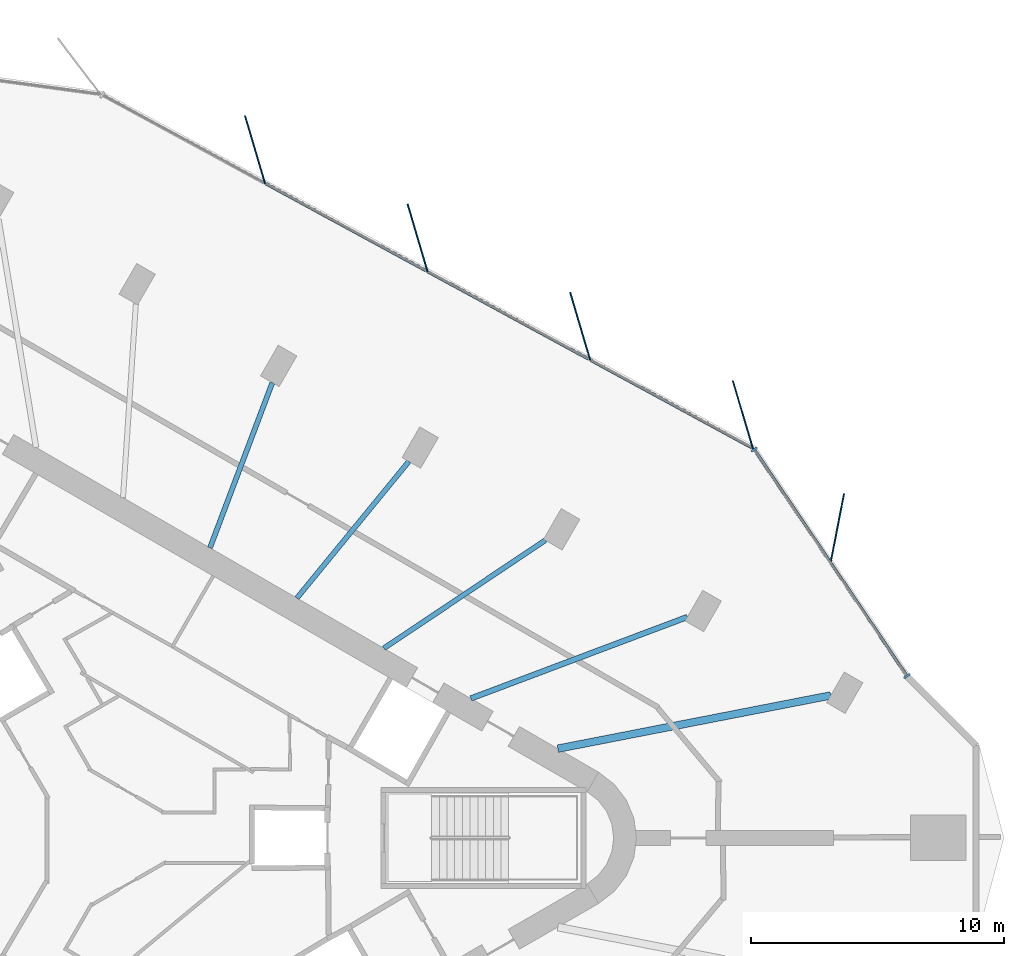
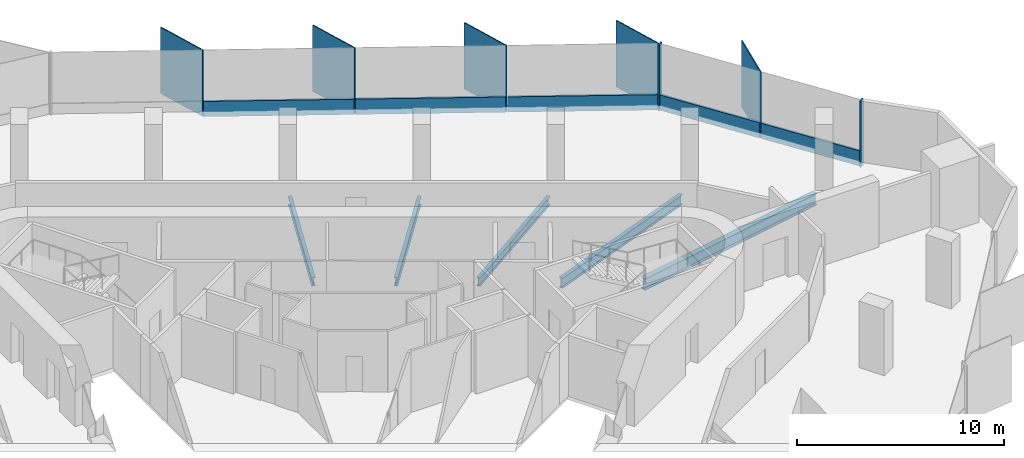
# One storey, part 5 of 12: 12 members, 5 beams, 2 elements without a shape of their own.
"""IFC4 building model written with IfcOpenShell, lengths in metres."""

from ifc_helpers import new_model, si_unit, direction, frame, origin, origin_2d, place, context, subcontext, project, spatial, rectangle, i_section, extrude, material, material_profile, profile_set, type_object, element, aggregate, save


model = new_model("IFC4")

# Units and contexts
model_context = context("Model", 3, precision=1e-05, world=origin(), true_north=direction((0.0, 1.0)))
body_context = subcontext(model_context, "Body", "Model", "MODEL_VIEW")
ifc_project = project(units=[si_unit("LENGTHUNIT", "METRE"), si_unit("AREAUNIT", "SQUARE_METRE"), si_unit("VOLUMEUNIT", "CUBIC_METRE"), si_unit("PLANEANGLEUNIT", "RADIAN"), si_unit("MASSUNIT", "GRAM", prefix="KILO")], contexts=[model_context])

# Site, building, storey
site_placement = place(None, origin())
site = spatial("IfcSite", under=ifc_project, at=site_placement, CompositionType="ELEMENT")
building_placement = place(site_placement, origin())
building = spatial("IfcBuilding", under=site, at=building_placement, Name="Tanit Gate Tower", CompositionType="ELEMENT")
storey_placement = place(building_placement, frame((0.0, 0.0, 349.39990234375)))
storey = spatial("IfcBuildingStorey", under=building, at=storey_placement, Name="L79", CompositionType="ELEMENT", Elevation=349.39990234375)

# Curtain wall, member
ifc_material_1 = material(Name="Aluminium bronze anodised and glass", Category="aluminium")
curtain_wall_type = type_object("IfcCurtainWallType", Name="Curtain wall typical high", PredefinedType="NOTDEFINED", material=ifc_material_1)
curtain_wall_1_placement = place(storey_placement, origin())
curtain_wall_1 = element("IfcCurtainWall", 1, at=curtain_wall_1_placement, inside=storey, type_object=curtain_wall_type, Name="Curtain wall L79 NE1", PredefinedType="NOTDEFINED")
ifc_material_2 = material(Name="Aluminium bronze anodised", Category="aluminium")
ifc_material_profile_1 = material_profile(ifc_material_2, rectangle(XDim=2.800048828125, YDim=0.055908203125, at=origin_2d()), Name="56x2800 bronze fin mullion")
ifc_profile_set_1 = profile_set([ifc_material_profile_1], Name="Aluminium bronze anodised")
member_type_1 = type_object("IfcMemberType", Name="FIN MULLION 56x2800 bronze", PredefinedType="MULLION", material=ifc_profile_set_1)
member_1_placement = place(storey_placement, frame((29.1435546875, 12.238525390625, -0.2998046875), z_axis=(0.0, 0.0, 1.0), x_axis=(-0.190862727033, -0.981616737545, 0.0)))
member_1 = element("IfcMember", 2, at=member_1_placement, type_object=member_type_1, Name="Fin mullion L79 NE1.2", PredefinedType="MULLION", context=body_context, shape_type="SweptSolid", body=[
    extrude(rectangle(XDim=2.800048828125, YDim=0.055908203125, at=origin_2d()), origin(), (0.0, 0.0, 1.0), 3.89990234375),
])

# Curtain wall, members
curtain_wall_2_placement = place(storey_placement, origin())
curtain_wall_2 = element("IfcCurtainWall", 3, at=curtain_wall_2_placement, inside=storey, type_object=curtain_wall_type, Name="Curtain wall L79 NE2", PredefinedType="NOTDEFINED")
member_2_placement = place(storey_placement, frame((25.409423828125, 16.739501953125, -0.2998046875), z_axis=(0.0, 0.0, 1.0), x_axis=(0.28377270479, -0.958891574692, 0.0)))
member_2 = element("IfcMember", 4, at=member_2_placement, type_object=member_type_1, Name="Fin mullion L79 NE2.1", PredefinedType="MULLION", context=body_context, shape_type="SweptSolid", body=[
    extrude(rectangle(XDim=2.800048828125, YDim=0.055908203125, at=origin_2d()), origin(), (0.0, 0.0, 1.0), 3.89990234375),
])
member_3_placement = place(storey_placement, frame((18.9765625, 20.234375, -0.2998046875), z_axis=(0.0, 0.0, 1.0), x_axis=(0.28377270479, -0.958891574692, 0.0)))
member_3 = element("IfcMember", 5, at=member_3_placement, type_object=member_type_1, Name="Fin mullion L79 NE2.2", PredefinedType="MULLION", context=body_context, shape_type="SweptSolid", body=[
    extrude(rectangle(XDim=2.800048828125, YDim=0.055908203125, at=origin_2d()), origin(), (0.0, 0.0, 1.0), 3.89990234375),
])
member_4_placement = place(storey_placement, frame((12.543701171875, 23.729248046875, -0.2998046875), z_axis=(0.0, 0.0, 1.0), x_axis=(0.28377270479, -0.958891574692, 0.0)))
member_4 = element("IfcMember", 6, at=member_4_placement, type_object=member_type_1, Name="Fin mullion L79 NE2.3", PredefinedType="MULLION", context=body_context, shape_type="SweptSolid", body=[
    extrude(rectangle(XDim=2.800048828125, YDim=0.055908203125, at=origin_2d()), origin(), (0.0, 0.0, 1.0), 3.89990234375),
])
member_5_placement = place(storey_placement, frame((6.11083984375, 27.22412109375, -0.2998046875), z_axis=(0.0, 0.0, 1.0), x_axis=(0.28377270479, -0.958891574692, 0.0)))
member_5 = element("IfcMember", 7, at=member_5_placement, type_object=member_type_1, Name="Fin mullion L79 NE2.4", PredefinedType="MULLION", context=body_context, shape_type="SweptSolid", body=[
    extrude(rectangle(XDim=2.800048828125, YDim=0.055908203125, at=origin_2d()), origin(), (0.0, 0.0, 1.0), 3.89990234375),
])

# Member
ifc_material_3 = material(Name="Aluminium bronze anodised", Category="aluminium")
ifc_material_profile_2 = material_profile(ifc_material_3, rectangle(XDim=0.280029296875, YDim=0.080078125, at=origin_2d()), Name="80x280 bronze mullion")
ifc_profile_set_2 = profile_set([ifc_material_profile_2], Name="Aluminium bronze anodised")
member_type_2 = type_object("IfcMemberType", Name="Mullion 80x280 typical high", PredefinedType="MULLION", material=ifc_profile_set_2)
member_6_placement = place(storey_placement, frame((31.90185546875, 6.4033203125, -0.2998046875), z_axis=(0.0, 0.0, 1.0), x_axis=(-0.829068180206, -0.559147523084, 0.0)))
member_6 = element("IfcMember", 8, at=member_6_placement, type_object=member_type_2, Name="Mullion L79 NE1.1", PredefinedType="MULLION", context=body_context, shape_type="SweptSolid", body=[
    extrude(rectangle(XDim=0.280029296875, YDim=0.080078125, at=origin_2d()), origin(), (0.0, 0.0, 1.0), 3.89990234375),
])

member_7_placement = place(storey_placement, frame((25.858642578125, 15.36376953125, -0.2998046875), z_axis=(0.0, 0.0, 1.0), x_axis=(-0.829068180206, -0.559147523084, 0.0)))
member_7 = element("IfcMember", 9, at=member_7_placement, type_object=member_type_2, Name="Mullion L79 NE1.3", PredefinedType="MULLION", context=body_context, shape_type="SweptSolid", body=[
    extrude(rectangle(XDim=0.280029296875, YDim=0.080078125, at=origin_2d()), origin(), (0.0, 0.0, 1.0), 3.89990234375),
])

# Beams
ifc_material_4 = material(Name="Steel S355", Category="steel")
ifc_material_profile_3 = material_profile(ifc_material_4, i_section(OverallWidth=0.300048828125, OverallDepth=0.68994140625, WebThickness=0.014404296875, FlangeThickness=0.027099609375, FilletRadius=0.027099609375, at=origin_2d()), Name="HEA 700")
ifc_profile_set_3 = profile_set([ifc_material_profile_3], Name="Steel S355")
beam_type_1 = type_object("IfcBeamType", Name="RADIAL GIRDER HEA 700 S355", PredefinedType="BEAM", material=ifc_profile_set_3)
beam_1_placement = place(storey_placement, frame((28.885498046875, 5.6337890625, -0.64501953125), z_axis=(-0.981508704714, -0.191417508528, 0.0), x_axis=(0.191417508528, -0.981508704714, 0.0)))
element("IfcBeam", 10, at=beam_1_placement, inside=storey, type_object=beam_type_1, Name="RADIAL GIRDER", PredefinedType="BEAM", context=body_context, shape_type="SweptSolid", body=[
    extrude(i_section(OverallWidth=0.300048828125, OverallDepth=0.68994140625, WebThickness=0.014404296875, FlangeThickness=0.027099609375, FilletRadius=0.027099609375, at=origin_2d()), origin(), (0.0, 0.0, 1.0), 10.996826171875),
])
ifc_material_5 = material(Name="Steel S355", Category="steel")
ifc_material_profile_4 = material_profile(ifc_material_5, i_section(OverallWidth=0.199951171875, OverallDepth=0.5, WebThickness=0.01025390625, FlangeThickness=0.01611328125, FilletRadius=0.02099609375, at=origin_2d()), Name="IPE 500")
ifc_profile_set_4 = profile_set([ifc_material_profile_4], Name="Steel S355")
beam_type_2 = type_object("IfcBeamType", Name="RADIAL GIRDER IPE 500 S355", PredefinedType="BEAM", material=ifc_profile_set_4)
beam_2_placement = place(storey_placement, frame((17.59423828125, 11.771728515625, -0.5498046875), z_axis=(-0.831129673439, -0.556078650849, 0.0), x_axis=(0.556078650849, -0.831129673439, 0.0)))
element("IfcBeam", 11, at=beam_2_placement, inside=storey, type_object=beam_type_2, Name="RADIAL GIRDER", PredefinedType="BEAM", context=body_context, shape_type="SweptSolid", body=[
    extrude(i_section(OverallWidth=0.199951171875, OverallDepth=0.5, WebThickness=0.01025390625, FlangeThickness=0.01611328125, FilletRadius=0.02099609375, at=origin_2d()), origin(), (0.0, 0.0, 1.0), 7.6796875),
])
beam_3_placement = place(storey_placement, frame((12.1953125, 14.888916015625, -0.5498046875), z_axis=(-0.633668026137, -0.773605088305, 0.0), x_axis=(0.773605088305, -0.633668026137, 0.0)))
element("IfcBeam", 12, at=beam_3_placement, inside=storey, type_object=beam_type_2, Name="RADIAL GIRDER", PredefinedType="BEAM", context=body_context, shape_type="SweptSolid", body=[
    extrude(i_section(OverallWidth=0.199951171875, OverallDepth=0.5, WebThickness=0.01025390625, FlangeThickness=0.01611328125, FilletRadius=0.02099609375, at=origin_2d()), origin(), (0.0, 0.0, 1.0), 6.982177734375),
])
beam_4_placement = place(storey_placement, frame((6.79638671875, 18.005859375, -0.5498046875), z_axis=(-0.353142148435, -0.935569678324, 0.0), x_axis=(0.935569678324, -0.353142148435, 0.0)))
element("IfcBeam", 13, at=beam_4_placement, inside=storey, type_object=beam_type_2, Name="RADIAL GIRDER", PredefinedType="BEAM", context=body_context, shape_type="SweptSolid", body=[
    extrude(i_section(OverallWidth=0.199951171875, OverallDepth=0.5, WebThickness=0.01025390625, FlangeThickness=0.01611328125, FilletRadius=0.02099609375, at=origin_2d()), origin(), (0.0, 0.0, 1.0), 6.98193359375),
])
ifc_material_6 = material(Name="Steel S355", Category="steel")
ifc_material_profile_5 = material_profile(ifc_material_6, i_section(OverallWidth=0.219970703125, OverallDepth=0.60009765625, WebThickness=0.011962890625, FlangeThickness=0.01904296875, FilletRadius=0.02392578125, at=origin_2d()), Name="IPE 600")
ifc_profile_set_5 = profile_set([ifc_material_profile_5], Name="Steel S355")
beam_type_3 = type_object("IfcBeamType", Name="RADIAL GIRDER IPE 600 S355", PredefinedType="BEAM", material=ifc_profile_set_5)
beam_5_placement = place(storey_placement, frame((23.213623046875, 8.73779296875, -0.599853515625), z_axis=(-0.935888654917, -0.352295934688, 0.0), x_axis=(0.352295934688, -0.935888654917, 0.0)))
element("IfcBeam", 14, at=beam_5_placement, inside=storey, type_object=beam_type_3, Name="RADIAL GIRDER", PredefinedType="BEAM", context=body_context, shape_type="SweptSolid", body=[
    extrude(i_section(OverallWidth=0.219970703125, OverallDepth=0.60009765625, WebThickness=0.011962890625, FlangeThickness=0.01904296875, FilletRadius=0.02392578125, at=origin_2d()), origin(), (0.0, 0.0, 1.0), 9.148193359375),
])

# Member
ifc_material_7 = material(Name="Aluminium bronze anodised", Category="aluminium")
ifc_material_profile_6 = material_profile(ifc_material_7, rectangle(XDim=0.1201171875, YDim=0.89990234375, at=origin_2d()), Name="120x900 bronze transom")
ifc_profile_set_6 = profile_set([ifc_material_profile_6], Name="Aluminium bronze anodised")
member_type_3 = type_object("IfcMemberType", Name="Transom 120x900 typical high", PredefinedType="USERDEFINED", material=ifc_profile_set_6)
member_8_placement = place(storey_placement, frame((31.87939453125, 6.4365234375, 0.150146484375), z_axis=(-0.559147532642, 0.829068173759, 0.0), x_axis=(-0.829068173759, -0.559147532642, 0.0)))
member_8 = element("IfcMember", 15, at=member_8_placement, type_object=member_type_3, Name="Transom L79 NE1.1", ObjectType="TRANSOM", PredefinedType="USERDEFINED", context=body_context, shape_type="SweptSolid", body=[
    extrude(rectangle(XDim=0.1201171875, YDim=0.89990234375, at=origin_2d()), origin(), (0.0, 0.0, 1.0), 5.32373046875),
])

member_9_placement = place(storey_placement, frame((28.85791015625, 10.916748046875, 0.150146484375), z_axis=(-0.559157794187, 0.829061252985, 0.0), x_axis=(-0.829061252985, -0.559157794187, 0.0)))
member_9 = element("IfcMember", 16, at=member_9_placement, type_object=member_type_3, Name="Transom L79 NE1.2", ObjectType="TRANSOM", PredefinedType="USERDEFINED", context=body_context, shape_type="SweptSolid", body=[
    extrude(rectangle(XDim=0.1201171875, YDim=0.89990234375, at=origin_2d()), origin(), (0.0, 0.0, 1.0), 5.32421875),
])

aggregate(curtain_wall_1, [member_6, member_1, member_7, member_8, member_9])

member_10_placement = place(storey_placement, frame((25.765869140625, 15.435302734375, 0.150146484375), z_axis=(-0.878703531798, 0.477367890841, 0.0), x_axis=(-0.477367890841, -0.878703531798, 0.0)))
member_10 = element("IfcMember", 17, at=member_10_placement, type_object=member_type_3, Name="Transom L79 NE2.1", ObjectType="TRANSOM", PredefinedType="USERDEFINED", context=body_context, shape_type="SweptSolid", body=[
    extrude(rectangle(XDim=0.1201171875, YDim=0.89990234375, at=origin_2d()), origin(), (0.0, 0.0, 1.0), 7.24072265625),
])

member_11_placement = place(storey_placement, frame((19.3330078125, 18.93017578125, 0.150146484375), z_axis=(-0.878703531798, 0.477367890841, 0.0), x_axis=(-0.477367890841, -0.878703531798, 0.0)))
member_11 = element("IfcMember", 18, at=member_11_placement, type_object=member_type_3, Name="Transom L79 NE2.2", ObjectType="TRANSOM", PredefinedType="USERDEFINED", context=body_context, shape_type="SweptSolid", body=[
    extrude(rectangle(XDim=0.1201171875, YDim=0.89990234375, at=origin_2d()), origin(), (0.0, 0.0, 1.0), 7.24072265625),
])

member_12_placement = place(storey_placement, frame((12.900146484375, 22.4248046875, 0.150146484375), z_axis=(-0.878689388466, 0.477393923921, 0.0), x_axis=(-0.477393923921, -0.878689388466, 0.0)))
member_12 = element("IfcMember", 19, at=member_12_placement, type_object=member_type_3, Name="Transom L79 NE2.3", ObjectType="TRANSOM", PredefinedType="USERDEFINED", context=body_context, shape_type="SweptSolid", body=[
    extrude(rectangle(XDim=0.1201171875, YDim=0.89990234375, at=origin_2d()), origin(), (0.0, 0.0, 1.0), 7.240966796875),
])

aggregate(curtain_wall_2, [member_2, member_3, member_4, member_5, member_10, member_11, member_12])

save(model, "model.ifc")
